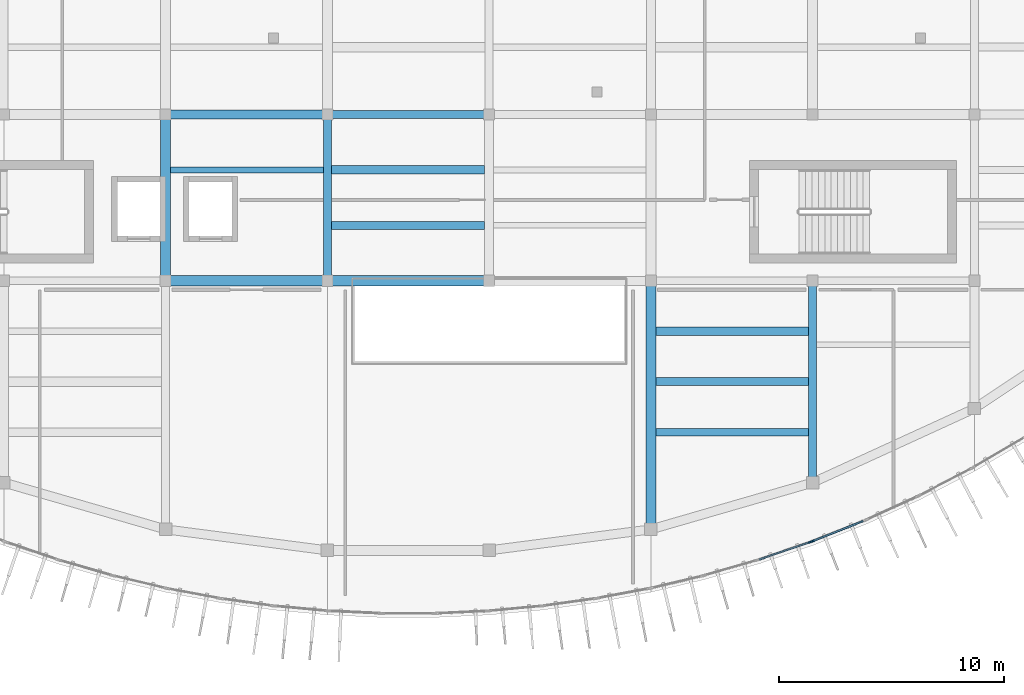
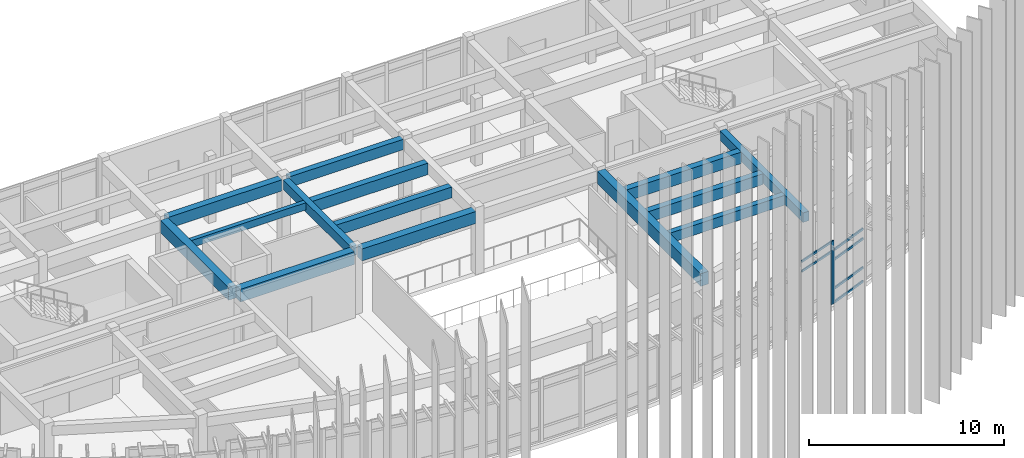
# One storey, part 19 of 47: 14 beams, 8 members, 2 elements without a shape of their own.
"""IFC4 building model written with IfcOpenShell, lengths in metres."""

from ifc_helpers import new_model, si_unit, direction, frame, origin, origin_2d, place, context, subcontext, project, spatial, rectangle, extrude, material, layer, layer_set, material_profile, profile_set, type_object, element, aggregate, save


model = new_model("IFC4")

# Units and contexts
model_context = context("Model", 3, precision=1e-05, world=origin(), true_north=direction((0.0, 1.0)))
body_context = subcontext(model_context, "Body", "Model", "MODEL_VIEW")
ifc_project = project(units=[si_unit("LENGTHUNIT", "METRE"), si_unit("AREAUNIT", "SQUARE_METRE"), si_unit("VOLUMEUNIT", "CUBIC_METRE"), si_unit("PLANEANGLEUNIT", "RADIAN"), si_unit("MASSUNIT", "GRAM", prefix="KILO")], contexts=[model_context])

# Site, building, storey
site_placement = place(None, origin())
site = spatial("IfcSite", under=ifc_project, at=site_placement, CompositionType="ELEMENT")
building_placement = place(site_placement, origin())
building = spatial("IfcBuilding", under=site, at=building_placement, Name="Brisavento Harbour Community Centre", CompositionType="ELEMENT")
storey_placement = place(building_placement, frame((0.0, 0.0, 8.699951171875)))
storey = spatial("IfcBuildingStorey", under=building, at=storey_placement, Name="L02", CompositionType="ELEMENT", Elevation=8.699951171875)

# Beams
ifc_material_1 = material(Name="Concrete C35/45", Category="concrete")
ifc_material_profile_1 = material_profile(ifc_material_1, rectangle(XDim=0.25, YDim=0.449951171875, at=origin_2d()), Name="Concrete C35/45")
ifc_profile_set_1 = profile_set([ifc_material_profile_1], Name="Concrete C35/45")
beam_type_1 = type_object("IfcBeamType", Name="BM-JST-250x450", PredefinedType="JOIST", material=ifc_profile_set_1)
beam_1_placement = place(storey_placement, frame((129.824951171875, 19.933349609375, 3.735107421875), z_axis=(1.0, 0.0, 0.0), x_axis=(0.0, 1.0, 0.0)))
element("IfcBeam", 1, at=beam_1_placement, inside=storey, type_object=beam_type_1, Name="L02 secondary floor joist 0299", PredefinedType="JOIST", context=body_context, shape_type="SweptSolid", body=[
    extrude(rectangle(XDim=0.25, YDim=0.449951171875, at=origin_2d()), origin(), (0.0, 0.0, 1.0), 6.800048828125),
])
ifc_material_profile_2 = material_profile(ifc_material_1, rectangle(XDim=0.320068359375, YDim=0.6201171875, at=origin_2d()), Name="Concrete C35/45")
ifc_profile_set_2 = profile_set([ifc_material_profile_2], Name="Concrete C35/45")
beam_type_2 = type_object("IfcBeamType", Name="BM-JST-320x620", PredefinedType="JOIST", material=ifc_profile_set_2)
beam_2_placement = place(storey_placement, frame((151.425048828125, 8.26123046875, 3.650146484375), z_axis=(1.0, 0.0, 0.0), x_axis=(0.0, 1.0, 0.0)))
element("IfcBeam", 2, at=beam_2_placement, inside=storey, type_object=beam_type_2, Name="L02 secondary floor joist 0315", PredefinedType="JOIST", context=body_context, shape_type="SweptSolid", body=[
    extrude(rectangle(XDim=0.320068359375, YDim=0.6201171875, at=origin_2d()), origin(), (0.0, 0.0, 1.0), 6.800048828125),
])
ifc_material_profile_3 = material_profile(ifc_material_1, rectangle(XDim=0.360107421875, YDim=0.679931640625, at=origin_2d()), Name="Concrete C35/45")
ifc_profile_set_3 = profile_set([ifc_material_profile_3], Name="Concrete C35/45")
beam_type_3 = type_object("IfcBeamType", Name="BM-JST-360x680", PredefinedType="JOIST", material=ifc_profile_set_3)
beam_3_placement = place(storey_placement, frame((136.97509765625, 17.466796875, 3.6201171875), z_axis=(1.0, 0.0, 0.0), x_axis=(0.0, 1.0, 0.0)))
element("IfcBeam", 3, at=beam_3_placement, inside=storey, type_object=beam_type_3, Name="L02 secondary floor joist 0305", PredefinedType="JOIST", context=body_context, shape_type="SweptSolid", body=[
    extrude(rectangle(XDim=0.360107421875, YDim=0.679931640625, at=origin_2d()), origin(), (0.0, 0.0, 1.0), 6.824951171875),
])
beam_4_placement = place(storey_placement, frame((151.425048828125, 10.507568359375, 3.6201171875), z_axis=(1.0, 0.0, 0.0), x_axis=(0.0, 1.0, 0.0)))
element("IfcBeam", 4, at=beam_4_placement, inside=storey, type_object=beam_type_3, Name="L02 secondary floor joist 0316", PredefinedType="JOIST", context=body_context, shape_type="SweptSolid", body=[
    extrude(rectangle(XDim=0.360107421875, YDim=0.679931640625, at=origin_2d()), origin(), (0.0, 0.0, 1.0), 6.800048828125),
])
ifc_material_profile_4 = material_profile(ifc_material_1, rectangle(XDim=0.3798828125, YDim=0.719970703125, at=origin_2d()), Name="Concrete C35/45")
ifc_profile_set_4 = profile_set([ifc_material_profile_4], Name="Concrete C35/45")
beam_type_4 = type_object("IfcBeamType", Name="BM-JST-380x720", PredefinedType="JOIST", material=ifc_profile_set_4)
beam_5_placement = place(storey_placement, frame((136.97509765625, 19.933349609375, 3.60009765625), z_axis=(1.0, 0.0, 0.0), x_axis=(0.0, 1.0, 0.0)))
element("IfcBeam", 5, at=beam_5_placement, inside=storey, type_object=beam_type_4, Name="L02 secondary floor joist 0306", PredefinedType="JOIST", context=body_context, shape_type="SweptSolid", body=[
    extrude(rectangle(XDim=0.3798828125, YDim=0.719970703125, at=origin_2d()), origin(), (0.0, 0.0, 1.0), 6.824951171875),
])
beam_6_placement = place(storey_placement, frame((151.425048828125, 12.75390625, 3.60009765625), z_axis=(1.0, 0.0, 0.0), x_axis=(0.0, 1.0, 0.0)))
element("IfcBeam", 6, at=beam_6_placement, inside=storey, type_object=beam_type_4, Name="L02 secondary floor joist 0317", PredefinedType="JOIST", context=body_context, shape_type="SweptSolid", body=[
    extrude(rectangle(XDim=0.3798828125, YDim=0.719970703125, at=origin_2d()), origin(), (0.0, 0.0, 1.0), 6.800048828125),
])
ifc_material_profile_5 = material_profile(ifc_material_1, rectangle(XDim=0.35009765625, YDim=0.60009765625, at=origin_2d()), Name="Concrete C35/45")
ifc_profile_set_5 = profile_set([ifc_material_profile_5], Name="Concrete C35/45")
beam_type_5 = type_object("IfcBeamType", Name="BM-RC-350x600", PredefinedType="BEAM", material=ifc_profile_set_5)
beam_7_placement = place(storey_placement, frame((136.800048828125, 15.219970703125, 3.66015625), z_axis=(0.0, 1.0, 0.0), x_axis=(-1.0, 0.0, 0.0)))
element("IfcBeam", 7, at=beam_7_placement, inside=storey, type_object=beam_type_5, Name="L02 primary girder Y0614", PredefinedType="BEAM", context=body_context, shape_type="SweptSolid", body=[
    extrude(rectangle(XDim=0.35009765625, YDim=0.60009765625, at=origin_2d()), origin(), (0.0, 0.0, 1.0), 6.9599609375),
])
beam_8_placement = place(storey_placement, frame((158.39990234375, 6.260009765625, 3.66015625), z_axis=(0.0, 1.0, 0.0), x_axis=(-1.0, 0.0, 0.0)))
element("IfcBeam", 8, at=beam_8_placement, inside=storey, type_object=beam_type_5, Name="L02 primary girder Y0624", PredefinedType="BEAM", context=body_context, shape_type="SweptSolid", body=[
    extrude(rectangle(XDim=0.35009765625, YDim=0.60009765625, at=origin_2d()), origin(), (0.0, 0.0, 1.0), 8.52001953125),
])
ifc_material_profile_6 = material_profile(ifc_material_1, rectangle(XDim=0.35009765625, YDim=0.64990234375, at=origin_2d()), Name="Concrete C35/45")
ifc_profile_set_6 = profile_set([ifc_material_profile_6], Name="Concrete C35/45")
beam_type_6 = type_object("IfcBeamType", Name="BM-RC-350x650", PredefinedType="BEAM", material=ifc_profile_set_6)
beam_9_placement = place(storey_placement, frame((137.02001953125, 22.39990234375, 3.635009765625), z_axis=(1.0, 0.0, 0.0), x_axis=(0.0, 1.0, 0.0)))
element("IfcBeam", 9, at=beam_9_placement, inside=storey, type_object=beam_type_6, Name="L02 primary girder X0558", PredefinedType="BEAM", context=body_context, shape_type="SweptSolid", body=[
    extrude(rectangle(XDim=0.35009765625, YDim=0.64990234375, at=origin_2d()), origin(), (0.0, 0.0, 1.0), 6.760009765625),
])
ifc_material_profile_7 = material_profile(ifc_material_1, rectangle(XDim=0.39990234375, YDim=0.699951171875, at=origin_2d()), Name="Concrete C35/45")
ifc_profile_set_7 = profile_set([ifc_material_profile_7], Name="Concrete C35/45")
beam_type_7 = type_object("IfcBeamType", Name="BM-RC-400x700", PredefinedType="BEAM", material=ifc_profile_set_7)
beam_10_placement = place(storey_placement, frame((129.820068359375, 22.39990234375, 3.610107421875), z_axis=(1.0, 0.0, 0.0), x_axis=(0.0, 1.0, 0.0)))
element("IfcBeam", 10, at=beam_10_placement, inside=storey, type_object=beam_type_7, Name="L02 primary girder X0557", PredefinedType="BEAM", context=body_context, shape_type="SweptSolid", body=[
    extrude(rectangle(XDim=0.39990234375, YDim=0.699951171875, at=origin_2d()), origin(), (0.0, 0.0, 1.0), 6.760009765625),
])
ifc_material_profile_8 = material_profile(ifc_material_1, rectangle(XDim=0.449951171875, YDim=0.75, at=origin_2d()), Name="Concrete C35/45")
ifc_profile_set_8 = profile_set([ifc_material_profile_8], Name="Concrete C35/45")
beam_type_8 = type_object("IfcBeamType", Name="BM-RC-450x750", PredefinedType="BEAM", material=ifc_profile_set_8)
beam_11_placement = place(storey_placement, frame((137.02001953125, 15.0, 3.5849609375), z_axis=(1.0, 0.0, 0.0), x_axis=(0.0, 1.0, 0.0)))
element("IfcBeam", 11, at=beam_11_placement, inside=storey, type_object=beam_type_8, Name="L02 primary girder X0551", PredefinedType="BEAM", context=body_context, shape_type="SweptSolid", body=[
    extrude(rectangle(XDim=0.449951171875, YDim=0.75, at=origin_2d()), origin(), (0.0, 0.0, 1.0), 6.760009765625),
])
ifc_material_profile_9 = material_profile(ifc_material_1, rectangle(XDim=0.449951171875, YDim=0.800048828125, at=origin_2d()), Name="Concrete C35/45")
ifc_profile_set_9 = profile_set([ifc_material_profile_9], Name="Concrete C35/45")
beam_type_9 = type_object("IfcBeamType", Name="BM-RC-450x800", PredefinedType="BEAM", material=ifc_profile_set_9)
beam_12_placement = place(storey_placement, frame((129.820068359375, 15.0, 3.56005859375), z_axis=(1.0, 0.0, 0.0), x_axis=(0.0, 1.0, 0.0)))
element("IfcBeam", 12, at=beam_12_placement, inside=storey, type_object=beam_type_9, Name="L02 primary girder X0550", PredefinedType="BEAM", context=body_context, shape_type="SweptSolid", body=[
    extrude(rectangle(XDim=0.449951171875, YDim=0.800048828125, at=origin_2d()), origin(), (0.0, 0.0, 1.0), 6.760009765625),
])
beam_13_placement = place(storey_placement, frame((129.60009765625, 15.219970703125, 3.56005859375), z_axis=(0.0, 1.0, 0.0), x_axis=(-1.0, 0.0, 0.0)))
element("IfcBeam", 13, at=beam_13_placement, inside=storey, type_object=beam_type_9, Name="L02 primary girder Y0610", PredefinedType="BEAM", context=body_context, shape_type="SweptSolid", body=[
    extrude(rectangle(XDim=0.449951171875, YDim=0.800048828125, at=origin_2d()), origin(), (0.0, 0.0, 1.0), 6.9599609375),
])
beam_14_placement = place(storey_placement, frame((151.199951171875, 4.178955078125, 3.56005859375), z_axis=(0.0, 1.0, 0.0), x_axis=(-1.0, 0.0, 0.0)))
element("IfcBeam", 14, at=beam_14_placement, inside=storey, type_object=beam_type_9, Name="L02 primary girder Y0620", PredefinedType="BEAM", context=body_context, shape_type="SweptSolid", body=[
    extrude(rectangle(XDim=0.449951171875, YDim=0.800048828125, at=origin_2d()), origin(), (0.0, 0.0, 1.0), 10.60107421875),
])

# Curtain wall, member
ifc_material_2 = material(Name="Marine-anodised aluminium AW-6063-T6", Category="aluminium")
ifc_layer_1 = layer(ifc_material_2, 0.179931640625, Name="Marine-anodised aluminium AW-6063-T6")
ifc_layer_set_1 = layer_set([ifc_layer_1], Name="Marine-anodised aluminium AW-6063-T6")
curtain_wall_type_1 = type_object("IfcCurtainWallType", Name="CW-SYS-26", PredefinedType="USERDEFINED", material=ifc_layer_set_1)
curtain_wall_1_placement = place(storey_placement, origin())
curtain_wall_1 = element("IfcCurtainWall", 15, at=curtain_wall_1_placement, inside=storey, type_object=curtain_wall_type_1, Name="L02 V3 unitised curtain wall 138", ObjectType="UNITISED CURTAIN WALL", PredefinedType="USERDEFINED")
ifc_material_profile_10 = material_profile(ifc_material_2, rectangle(XDim=0.070068359375, YDim=0.179931640625, at=origin_2d()), Name="Marine-anodised aluminium AW-6063-T6")
ifc_profile_set_10 = profile_set([ifc_material_profile_10], Name="Marine-anodised aluminium AW-6063-T6")
member_type_1 = type_object("IfcMemberType", Name="CWM-02", PredefinedType="MULLION", material=ifc_profile_set_10)
member_1_placement = place(storey_placement, frame((158.291748046875, 3.367919921875, 0.0), z_axis=(0.0, 0.0, 1.0), x_axis=(0.32317880016, -0.94633792227, 0.0)))
member_1 = element("IfcMember", 16, at=member_1_placement, type_object=member_type_1, Name="CW-26 mullion 1", PredefinedType="MULLION", context=body_context, shape_type="SweptSolid", body=[
    extrude(rectangle(XDim=0.070068359375, YDim=0.179931640625, at=origin_2d()), origin(), (0.0, 0.0, 1.0), 3.9599609375),
])

ifc_layer_2 = layer(ifc_material_2, 0.179931640625, Name="Marine-anodised aluminium AW-6063-T6")
ifc_layer_set_2 = layer_set([ifc_layer_2], Name="Marine-anodised aluminium AW-6063-T6")
curtain_wall_type_2 = type_object("IfcCurtainWallType", Name="CW-SYS-27", PredefinedType="USERDEFINED", material=ifc_layer_set_2)
curtain_wall_2_placement = place(storey_placement, origin())
curtain_wall_2 = element("IfcCurtainWall", 17, at=curtain_wall_2_placement, inside=storey, type_object=curtain_wall_type_2, Name="L02 V3 unitised curtain wall 139", ObjectType="UNITISED CURTAIN WALL", PredefinedType="USERDEFINED")
ifc_material_profile_11 = material_profile(ifc_material_2, rectangle(XDim=0.074951171875, YDim=0.18994140625, at=origin_2d()), Name="Marine-anodised aluminium AW-6063-T6")
ifc_profile_set_11 = profile_set([ifc_material_profile_11], Name="Marine-anodised aluminium AW-6063-T6")
member_type_2 = type_object("IfcMemberType", Name="CWM-03", PredefinedType="MULLION", material=ifc_profile_set_11)
member_2_placement = place(storey_placement, frame((158.385009765625, 3.40234375, 0.0), z_axis=(0.0, 0.0, 1.0), x_axis=(0.369379094613, -0.929278798027, 0.0)))
member_2 = element("IfcMember", 18, at=member_2_placement, type_object=member_type_2, Name="CW-27 mullion 2", PredefinedType="MULLION", context=body_context, shape_type="SweptSolid", body=[
    extrude(rectangle(XDim=0.074951171875, YDim=0.18994140625, at=origin_2d()), origin(), (0.0, 0.0, 1.0), 3.360107421875),
])

# Member
ifc_material_profile_12 = material_profile(ifc_material_2, rectangle(XDim=0.070068359375, YDim=0.132080078125, at=origin_2d()), Name="Marine-anodised aluminium AW-6063-T6")
ifc_profile_set_12 = profile_set([ifc_material_profile_12], Name="Marine-anodised aluminium AW-6063-T6")
member_type_3 = type_object("IfcMemberType", Name="CWT-02", PredefinedType="USERDEFINED", material=ifc_profile_set_12)
member_3_placement = place(storey_placement, frame((158.258544921875, 3.356689453125, 3.31005859375), z_axis=(-0.946340596632, -0.323170968942, 0.0), x_axis=(0.323170968942, -0.946340596632, 0.0)))
member_3 = element("IfcMember", 19, at=member_3_placement, type_object=member_type_3, Name="CW-26 transom 1.3", ObjectType="TRANSOM", PredefinedType="USERDEFINED", context=body_context, shape_type="SweptSolid", body=[
    extrude(rectangle(XDim=0.070068359375, YDim=0.132080078125, at=origin_2d()), origin(), (0.0, 0.0, 1.0), 2.360107421875),
])

member_4_placement = place(storey_placement, frame((158.258544921875, 3.356689453125, 3.925048828125), z_axis=(-0.946340596632, -0.323170968942, 0.0), x_axis=(0.323170968942, -0.946340596632, 0.0)))
member_4 = element("IfcMember", 20, at=member_4_placement, type_object=member_type_3, Name="CW-26 transom 1.4", ObjectType="TRANSOM", PredefinedType="USERDEFINED", context=body_context, shape_type="SweptSolid", body=[
    extrude(rectangle(XDim=0.070068359375, YDim=0.132080078125, at=origin_2d()), origin(), (0.0, 0.0, 1.0), 2.360107421875),
])

aggregate(curtain_wall_1, [member_1, member_3, member_4])

ifc_material_profile_13 = material_profile(ifc_material_2, rectangle(XDim=0.074951171875, YDim=0.139892578125, at=origin_2d()), Name="Marine-anodised aluminium AW-6063-T6")
ifc_profile_set_13 = profile_set([ifc_material_profile_13], Name="Marine-anodised aluminium AW-6063-T6")
member_type_4 = type_object("IfcMemberType", Name="CWT-03", PredefinedType="USERDEFINED", material=ifc_profile_set_13)
member_5_placement = place(storey_placement, frame((160.647216796875, 4.301513671875, 0.03759765625), z_axis=(-0.929289353883, -0.369352537233, 0.0), x_axis=(0.369352537233, -0.929289353883, 0.0)))
member_5 = element("IfcMember", 21, at=member_5_placement, type_object=member_type_4, Name="CW-27 transom 1.1", ObjectType="TRANSOM", PredefinedType="USERDEFINED", context=body_context, shape_type="SweptSolid", body=[
    extrude(rectangle(XDim=0.074951171875, YDim=0.139892578125, at=origin_2d()), origin(), (0.0, 0.0, 1.0), 2.396728515625),
])

member_6_placement = place(storey_placement, frame((160.647216796875, 4.301513671875, 0.900146484375), z_axis=(-0.929289353883, -0.369352537233, 0.0), x_axis=(0.369352537233, -0.929289353883, 0.0)))
member_6 = element("IfcMember", 22, at=member_6_placement, type_object=member_type_4, Name="CW-27 transom 1.2", ObjectType="TRANSOM", PredefinedType="USERDEFINED", context=body_context, shape_type="SweptSolid", body=[
    extrude(rectangle(XDim=0.074951171875, YDim=0.139892578125, at=origin_2d()), origin(), (0.0, 0.0, 1.0), 2.396728515625),
])

member_7_placement = place(storey_placement, frame((160.647216796875, 4.301513671875, 2.7099609375), z_axis=(-0.929289353883, -0.369352537233, 0.0), x_axis=(0.369352537233, -0.929289353883, 0.0)))
member_7 = element("IfcMember", 23, at=member_7_placement, type_object=member_type_4, Name="CW-27 transom 1.3", ObjectType="TRANSOM", PredefinedType="USERDEFINED", context=body_context, shape_type="SweptSolid", body=[
    extrude(rectangle(XDim=0.074951171875, YDim=0.139892578125, at=origin_2d()), origin(), (0.0, 0.0, 1.0), 2.396728515625),
])

member_8_placement = place(storey_placement, frame((160.647216796875, 4.301513671875, 3.322509765625), z_axis=(-0.929289353883, -0.369352537233, 0.0), x_axis=(0.369352537233, -0.929289353883, 0.0)))
member_8 = element("IfcMember", 24, at=member_8_placement, type_object=member_type_4, Name="CW-27 transom 1.4", ObjectType="TRANSOM", PredefinedType="USERDEFINED", context=body_context, shape_type="SweptSolid", body=[
    extrude(rectangle(XDim=0.074951171875, YDim=0.139892578125, at=origin_2d()), origin(), (0.0, 0.0, 1.0), 2.396728515625),
])

aggregate(curtain_wall_2, [member_2, member_5, member_6, member_7, member_8])

save(model, "model.ifc")
